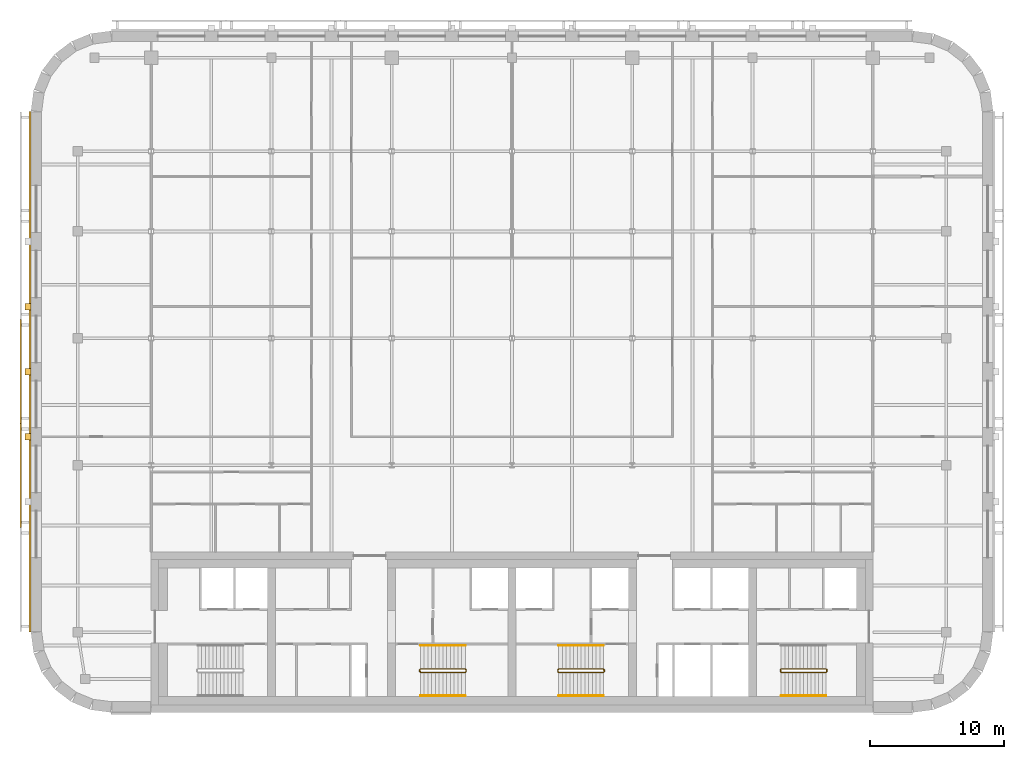
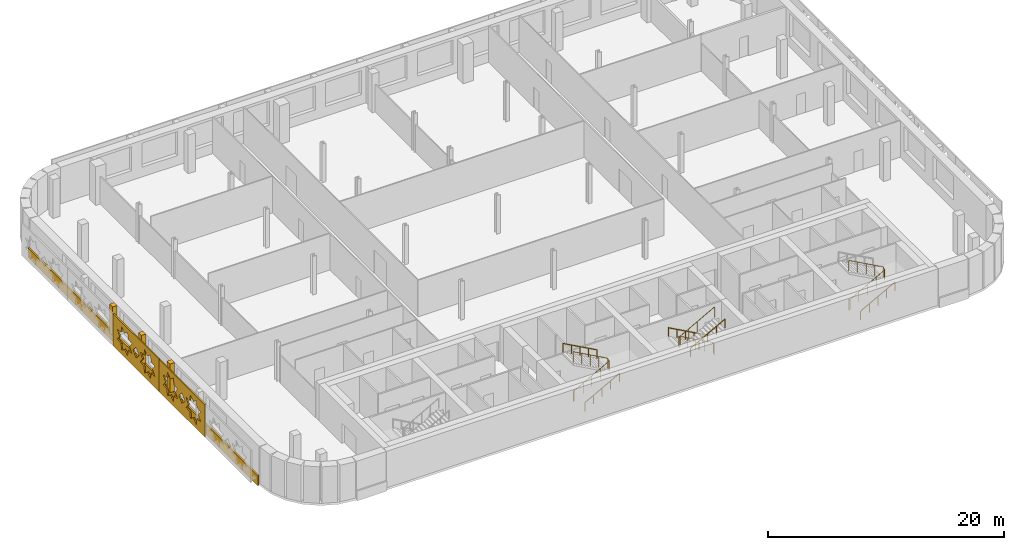
# One storey, part 14 of 16: 8 railings, 6 coverings.
"""IFC4 building model written with IfcOpenShell, lengths in metres."""

from ifc_helpers import new_model, si_unit, direction, frame, origin, origin_2d, place, context, subcontext, project, spatial, polyline, circle, outline, extrude, material, layer, layer_set, type_object, element, save


model = new_model("IFC4")

# Units and contexts
model_context = context("Model", 3, precision=1e-05, world=origin(), true_north=direction((0.0, 1.0)))
body_context = subcontext(model_context, "Body", "Model", "MODEL_VIEW")
ifc_project = project(units=[si_unit("LENGTHUNIT", "METRE"), si_unit("AREAUNIT", "SQUARE_METRE"), si_unit("VOLUMEUNIT", "CUBIC_METRE"), si_unit("PLANEANGLEUNIT", "RADIAN"), si_unit("MASSUNIT", "GRAM", prefix="KILO")], contexts=[model_context])

# Site, building, storey
site_placement = place(None, origin())
site = spatial("IfcSite", under=ifc_project, at=site_placement, CompositionType="ELEMENT")
building_placement = place(site_placement, origin())
building = spatial("IfcBuilding", under=site, at=building_placement, Name="Zellij Exchange Tower", CompositionType="ELEMENT")
storey_placement = place(building_placement, frame((0.0, 0.0, 280.5)))
storey = spatial("IfcBuildingStorey", under=building, at=storey_placement, Name="L66", CompositionType="ELEMENT", Elevation=280.5)

# Railings
ifc_material_1 = material(Name="Stainless steel", Category="steel")
railing_type_1 = type_object("IfcRailingType", Name="CORE-RG stair guard", PredefinedType="GUARDRAIL", material=ifc_material_1)
railing_1_placement = place(storey_placement, frame((-6.89990234375, -10.949951171875, 0.0)))
element("IfcRailing", 1, at=railing_1_placement, inside=storey, type_object=railing_type_1, Name="ST2 stair guard L66", PredefinedType="GUARDRAIL", context=body_context, shape_type="SweptSolid", body=[
    extrude(circle(Radius=0.02392578125, at=origin_2d()), frame((0.0, 0.0, 1.076171875), z_axis=(0.0, 1.0, 0.0), x_axis=(-1.0, 0.0, 0.0)), (0.0, 0.0, 1.0), 0.14990234375),
    extrude(circle(Radius=0.02392578125, at=origin_2d()), frame((0.0, 0.14990234375, 1.076171875), z_axis=(0.193691321961, -0.777613689637, 0.598164376644), x_axis=(0.970351222016, 0.241699205484, 0.0)), (0.0, 0.0, 1.0), 0.257080078125),
    extrude(circle(Radius=0.02392578125, at=origin_2d()), frame((0.0498046875, -0.050048828125, 1.22998046875), z_axis=(0.876421534553, 0.0, 0.481544695509), x_axis=(0.0, 1.0, 0.0)), (0.0, 0.0, 1.0), 3.833984375),
    extrude(circle(Radius=0.02392578125, at=origin_2d()), frame((3.409912109375, -0.050048828125, 3.076171875), z_axis=(0.707106781187, 0.707106781187, 0.0), x_axis=(-0.707106781187, 0.707106781187, 0.0)), (0.0, 0.0, 1.0), 0.07080078125),
    extrude(circle(Radius=0.02392578125, at=origin_2d()), frame((3.4599609375, 0.0, 3.076171875), z_axis=(0.0, 1.0, 0.0), x_axis=(-1.0, 0.0, 0.0)), (0.0, 0.0, 1.0), 0.14990234375),
    extrude(circle(Radius=0.02392578125, at=origin_2d()), frame((3.4599609375, 0.14990234375, 3.076171875), z_axis=(-0.295599637079, 0.295599637079, 0.908428152975), x_axis=(-0.707106781187, -0.707106781187, 0.0)), (0.0, 0.0, 1.0), 0.16943359375),
    extrude(circle(Radius=0.02392578125, at=origin_2d()), frame((3.409912109375, 0.199951171875, 3.22998046875), z_axis=(-0.876421534553, 0.0, 0.481544695509), x_axis=(0.0, -1.0, 0.0)), (0.0, 0.0, 1.0), 3.833984375),
    extrude(circle(Radius=0.02099609375, at=origin_2d()), origin(), (0.0, 0.0, 1.0), 1.052001953125),
    extrude(circle(Radius=0.02099609375, at=origin_2d()), frame((0.0, 0.14990234375, 0.0)), (0.0, 0.0, 1.0), 1.052001953125),
    extrude(circle(Radius=0.02099609375, at=origin_2d()), frame((0.0498046875, -0.050048828125, 0.15380859375)), (0.0, 0.0, 1.0), 1.052001953125),
    extrude(circle(Radius=0.02099609375, at=origin_2d()), frame((0.889892578125, -0.050048828125, 0.615234375)), (0.0, 0.0, 1.0), 1.052001953125),
    extrude(circle(Radius=0.02099609375, at=origin_2d()), frame((1.72998046875, -0.050048828125, 1.076904296875)), (0.0, 0.0, 1.0), 1.052001953125),
    extrude(circle(Radius=0.02099609375, at=origin_2d()), frame((2.56982421875, -0.050048828125, 1.53857421875)), (0.0, 0.0, 1.0), 1.052001953125),
    extrude(circle(Radius=0.02099609375, at=origin_2d()), frame((3.409912109375, -0.050048828125, 2.0)), (0.0, 0.0, 1.0), 1.052001953125),
    extrude(circle(Radius=0.02099609375, at=origin_2d()), frame((3.4599609375, 0.0, 2.0)), (0.0, 0.0, 1.0), 1.052001953125),
    extrude(circle(Radius=0.02099609375, at=origin_2d()), frame((3.4599609375, 0.14990234375, 2.0)), (0.0, 0.0, 1.0), 1.052001953125),
    extrude(circle(Radius=0.02099609375, at=origin_2d()), frame((3.409912109375, 0.199951171875, 2.15380859375)), (0.0, 0.0, 1.0), 1.052001953125),
    extrude(circle(Radius=0.02099609375, at=origin_2d()), frame((2.56982421875, 0.199951171875, 2.615234375)), (0.0, 0.0, 1.0), 1.052001953125),
    extrude(circle(Radius=0.02099609375, at=origin_2d()), frame((1.72998046875, 0.199951171875, 3.076904296875)), (0.0, 0.0, 1.0), 1.052001953125),
    extrude(circle(Radius=0.02099609375, at=origin_2d()), frame((0.889892578125, 0.199951171875, 3.53857421875)), (0.0, 0.0, 1.0), 1.052001953125),
    extrude(circle(Radius=0.02099609375, at=origin_2d()), frame((0.0498046875, 0.199951171875, 4.0)), (0.0, 0.0, 1.0), 1.052001953125),
])
railing_2_placement = place(storey_placement, frame((6.89990234375, -10.800048828125, 0.0)))
element("IfcRailing", 2, at=railing_2_placement, inside=storey, type_object=railing_type_1, Name="ST3 stair guard L66", PredefinedType="GUARDRAIL", context=body_context, shape_type="SweptSolid", body=[
    extrude(circle(Radius=0.02392578125, at=origin_2d()), frame((0.0, 0.0, 1.076171875), z_axis=(0.0, -1.0, 0.0), x_axis=(1.0, 0.0, 0.0)), (0.0, 0.0, 1.0), 0.14990234375),
    extrude(circle(Radius=0.02392578125, at=origin_2d()), frame((0.0, -0.14990234375, 1.076171875), z_axis=(-0.193691321961, 0.777613689637, 0.598164376644), x_axis=(-0.970351222016, -0.241699205484, 0.0)), (0.0, 0.0, 1.0), 0.257080078125),
    extrude(circle(Radius=0.02392578125, at=origin_2d()), frame((-0.0498046875, 0.050048828125, 1.22998046875), z_axis=(-0.876421534553, 0.0, 0.481544695509), x_axis=(0.0, -1.0, 0.0)), (0.0, 0.0, 1.0), 3.833984375),
    extrude(circle(Radius=0.02392578125, at=origin_2d()), frame((-3.409912109375, 0.050048828125, 3.076171875), z_axis=(-0.707106781187, -0.707106781187, 0.0), x_axis=(0.707106781187, -0.707106781187, 0.0)), (0.0, 0.0, 1.0), 0.07080078125),
    extrude(circle(Radius=0.02392578125, at=origin_2d()), frame((-3.4599609375, 0.0, 3.076171875), z_axis=(0.0, -1.0, 0.0), x_axis=(1.0, 0.0, 0.0)), (0.0, 0.0, 1.0), 0.14990234375),
    extrude(circle(Radius=0.02392578125, at=origin_2d()), frame((-3.4599609375, -0.14990234375, 3.076171875), z_axis=(0.295599637079, -0.295599637079, 0.908428152975), x_axis=(0.707106781187, 0.707106781187, 0.0)), (0.0, 0.0, 1.0), 0.16943359375),
    extrude(circle(Radius=0.02392578125, at=origin_2d()), frame((-3.409912109375, -0.199951171875, 3.22998046875), z_axis=(0.876421534553, 0.0, 0.481544695509), x_axis=(0.0, 1.0, 0.0)), (0.0, 0.0, 1.0), 3.833984375),
    extrude(circle(Radius=0.02099609375, at=origin_2d()), origin(), (0.0, 0.0, 1.0), 1.052001953125),
    extrude(circle(Radius=0.02099609375, at=origin_2d()), frame((0.0, -0.14990234375, 0.0)), (0.0, 0.0, 1.0), 1.052001953125),
    extrude(circle(Radius=0.02099609375, at=origin_2d()), frame((-0.0498046875, 0.050048828125, 0.15380859375)), (0.0, 0.0, 1.0), 1.052001953125),
    extrude(circle(Radius=0.02099609375, at=origin_2d()), frame((-0.889892578125, 0.050048828125, 0.615234375)), (0.0, 0.0, 1.0), 1.052001953125),
    extrude(circle(Radius=0.02099609375, at=origin_2d()), frame((-1.72998046875, 0.050048828125, 1.076904296875)), (0.0, 0.0, 1.0), 1.052001953125),
    extrude(circle(Radius=0.02099609375, at=origin_2d()), frame((-2.56982421875, 0.050048828125, 1.53857421875)), (0.0, 0.0, 1.0), 1.052001953125),
    extrude(circle(Radius=0.02099609375, at=origin_2d()), frame((-3.409912109375, 0.050048828125, 2.0)), (0.0, 0.0, 1.0), 1.052001953125),
    extrude(circle(Radius=0.02099609375, at=origin_2d()), frame((-3.4599609375, 0.0, 2.0)), (0.0, 0.0, 1.0), 1.052001953125),
    extrude(circle(Radius=0.02099609375, at=origin_2d()), frame((-3.4599609375, -0.14990234375, 2.0)), (0.0, 0.0, 1.0), 1.052001953125),
    extrude(circle(Radius=0.02099609375, at=origin_2d()), frame((-3.409912109375, -0.199951171875, 2.15380859375)), (0.0, 0.0, 1.0), 1.052001953125),
    extrude(circle(Radius=0.02099609375, at=origin_2d()), frame((-2.56982421875, -0.199951171875, 2.615234375)), (0.0, 0.0, 1.0), 1.052001953125),
    extrude(circle(Radius=0.02099609375, at=origin_2d()), frame((-1.72998046875, -0.199951171875, 3.076904296875)), (0.0, 0.0, 1.0), 1.052001953125),
    extrude(circle(Radius=0.02099609375, at=origin_2d()), frame((-0.889892578125, -0.199951171875, 3.53857421875)), (0.0, 0.0, 1.0), 1.052001953125),
    extrude(circle(Radius=0.02099609375, at=origin_2d()), frame((-0.0498046875, -0.199951171875, 4.0)), (0.0, 0.0, 1.0), 1.052001953125),
])
railing_3_placement = place(storey_placement, frame((20.10009765625, -10.949951171875, 0.0)))
element("IfcRailing", 3, at=railing_3_placement, inside=storey, type_object=railing_type_1, Name="ST4 stair guard L66", PredefinedType="GUARDRAIL", context=body_context, shape_type="SweptSolid", body=[
    extrude(circle(Radius=0.02392578125, at=origin_2d()), frame((0.0, 0.0, 1.076171875), z_axis=(0.0, 1.0, 0.0), x_axis=(-1.0, 0.0, 0.0)), (0.0, 0.0, 1.0), 0.14990234375),
    extrude(circle(Radius=0.02392578125, at=origin_2d()), frame((0.0, 0.14990234375, 1.076171875), z_axis=(0.193691321961, -0.777613689637, 0.598164376644), x_axis=(0.970351222016, 0.241699205484, 0.0)), (0.0, 0.0, 1.0), 0.257080078125),
    extrude(circle(Radius=0.02392578125, at=origin_2d()), frame((0.0498046875, -0.050048828125, 1.22998046875), z_axis=(0.876421534553, 0.0, 0.481544695509), x_axis=(0.0, 1.0, 0.0)), (0.0, 0.0, 1.0), 3.833984375),
    extrude(circle(Radius=0.02392578125, at=origin_2d()), frame((3.409912109375, -0.050048828125, 3.076171875), z_axis=(0.707106781187, 0.707106781187, 0.0), x_axis=(-0.707106781187, 0.707106781187, 0.0)), (0.0, 0.0, 1.0), 0.07080078125),
    extrude(circle(Radius=0.02392578125, at=origin_2d()), frame((3.4599609375, 0.0, 3.076171875), z_axis=(0.0, 1.0, 0.0), x_axis=(-1.0, 0.0, 0.0)), (0.0, 0.0, 1.0), 0.14990234375),
    extrude(circle(Radius=0.02392578125, at=origin_2d()), frame((3.4599609375, 0.14990234375, 3.076171875), z_axis=(-0.295599637079, 0.295599637079, 0.908428152975), x_axis=(-0.707106781187, -0.707106781187, 0.0)), (0.0, 0.0, 1.0), 0.16943359375),
    extrude(circle(Radius=0.02392578125, at=origin_2d()), frame((3.409912109375, 0.199951171875, 3.22998046875), z_axis=(-0.876421534553, 0.0, 0.481544695509), x_axis=(0.0, -1.0, 0.0)), (0.0, 0.0, 1.0), 3.833984375),
    extrude(circle(Radius=0.02099609375, at=origin_2d()), origin(), (0.0, 0.0, 1.0), 1.052001953125),
    extrude(circle(Radius=0.02099609375, at=origin_2d()), frame((0.0, 0.14990234375, 0.0)), (0.0, 0.0, 1.0), 1.052001953125),
    extrude(circle(Radius=0.02099609375, at=origin_2d()), frame((0.0498046875, -0.050048828125, 0.15380859375)), (0.0, 0.0, 1.0), 1.052001953125),
    extrude(circle(Radius=0.02099609375, at=origin_2d()), frame((0.889892578125, -0.050048828125, 0.615234375)), (0.0, 0.0, 1.0), 1.052001953125),
    extrude(circle(Radius=0.02099609375, at=origin_2d()), frame((1.72998046875, -0.050048828125, 1.076904296875)), (0.0, 0.0, 1.0), 1.052001953125),
    extrude(circle(Radius=0.02099609375, at=origin_2d()), frame((2.56982421875, -0.050048828125, 1.53857421875)), (0.0, 0.0, 1.0), 1.052001953125),
    extrude(circle(Radius=0.02099609375, at=origin_2d()), frame((3.409912109375, -0.050048828125, 2.0)), (0.0, 0.0, 1.0), 1.052001953125),
    extrude(circle(Radius=0.02099609375, at=origin_2d()), frame((3.4599609375, 0.0, 2.0)), (0.0, 0.0, 1.0), 1.052001953125),
    extrude(circle(Radius=0.02099609375, at=origin_2d()), frame((3.4599609375, 0.14990234375, 2.0)), (0.0, 0.0, 1.0), 1.052001953125),
    extrude(circle(Radius=0.02099609375, at=origin_2d()), frame((3.409912109375, 0.199951171875, 2.15380859375)), (0.0, 0.0, 1.0), 1.052001953125),
    extrude(circle(Radius=0.02099609375, at=origin_2d()), frame((2.56982421875, 0.199951171875, 2.615234375)), (0.0, 0.0, 1.0), 1.052001953125),
    extrude(circle(Radius=0.02099609375, at=origin_2d()), frame((1.72998046875, 0.199951171875, 3.076904296875)), (0.0, 0.0, 1.0), 1.052001953125),
    extrude(circle(Radius=0.02099609375, at=origin_2d()), frame((0.889892578125, 0.199951171875, 3.53857421875)), (0.0, 0.0, 1.0), 1.052001953125),
    extrude(circle(Radius=0.02099609375, at=origin_2d()), frame((0.0498046875, 0.199951171875, 4.0)), (0.0, 0.0, 1.0), 1.052001953125),
])
railing_type_2 = type_object("IfcRailingType", Name="CORE-RH stair handrail", PredefinedType="HANDRAIL", material=ifc_material_1)
railing_4_placement = place(storey_placement, frame((-6.85009765625, -12.75, 0.15380859375)))
element("IfcRailing", 4, at=railing_4_placement, inside=storey, type_object=railing_type_2, Name="ST2 stair handrail L66", PredefinedType="HANDRAIL", context=body_context, shape_type="SweptSolid", body=[
    extrude(circle(Radius=0.02392578125, at=origin_2d()), frame((0.0, 0.0, 0.8759765625), z_axis=(0.876421534553, 0.0, 0.481544695509), x_axis=(0.0, 1.0, 0.0)), (0.0, 0.0, 1.0), 3.833984375),
    extrude(circle(Radius=0.02099609375, at=origin_2d()), origin(), (0.0, 0.0, 1.0), 0.851806640625),
    extrude(circle(Radius=0.02099609375, at=origin_2d()), frame((0.840087890625, 0.0, 0.46142578125)), (0.0, 0.0, 1.0), 0.851806640625),
    extrude(circle(Radius=0.02099609375, at=origin_2d()), frame((1.68017578125, 0.0, 0.923095703125)), (0.0, 0.0, 1.0), 0.851806640625),
    extrude(circle(Radius=0.02099609375, at=origin_2d()), frame((2.52001953125, 0.0, 1.384765625)), (0.0, 0.0, 1.0), 0.851806640625),
    extrude(circle(Radius=0.02099609375, at=origin_2d()), frame((3.360107421875, 0.0, 1.84619140625)), (0.0, 0.0, 1.0), 0.851806640625),
])
for number, where, name in (
    (5, (-3.489990234375, -9.0, 2.15380859375), "ST2 stair handrail L66"),
    (6, (6.85009765625, -9.0, 0.15380859375), "ST3 stair handrail L66"),
):
    element("IfcRailing", number, at=place(storey_placement, frame(where)), inside=storey, type_object=railing_type_2, Name=name, PredefinedType="HANDRAIL", context=body_context, shape_type="SweptSolid", body=[
        extrude(circle(Radius=0.02392578125, at=origin_2d()), frame((0.0, 0.0, 0.8759765625), z_axis=(-0.876421534553, 0.0, 0.481544695509), x_axis=(0.0, -1.0, 0.0)), (0.0, 0.0, 1.0), 3.833984375),
        extrude(circle(Radius=0.02099609375, at=origin_2d()), origin(), (0.0, 0.0, 1.0), 0.851806640625),
        extrude(circle(Radius=0.02099609375, at=origin_2d()), frame((-0.840087890625, 0.0, 0.46142578125)), (0.0, 0.0, 1.0), 0.851806640625),
        extrude(circle(Radius=0.02099609375, at=origin_2d()), frame((-1.68017578125, 0.0, 0.923095703125)), (0.0, 0.0, 1.0), 0.851806640625),
        extrude(circle(Radius=0.02099609375, at=origin_2d()), frame((-2.52001953125, 0.0, 1.384765625)), (0.0, 0.0, 1.0), 0.851806640625),
        extrude(circle(Radius=0.02099609375, at=origin_2d()), frame((-3.360107421875, 0.0, 1.84619140625)), (0.0, 0.0, 1.0), 0.851806640625),
    ])
for number, where, name in (
    (7, (3.489990234375, -12.75, 2.15380859375), "ST3 stair handrail L66"),
    (8, (20.14990234375, -12.75, 0.15380859375), "ST4 stair handrail L66"),
):
    element("IfcRailing", number, at=place(storey_placement, frame(where)), inside=storey, type_object=railing_type_2, Name=name, PredefinedType="HANDRAIL", context=body_context, shape_type="SweptSolid", body=[
        extrude(circle(Radius=0.02392578125, at=origin_2d()), frame((0.0, 0.0, 0.8759765625), z_axis=(0.876421534553, 0.0, 0.481544695509), x_axis=(0.0, 1.0, 0.0)), (0.0, 0.0, 1.0), 3.833984375),
        extrude(circle(Radius=0.02099609375, at=origin_2d()), origin(), (0.0, 0.0, 1.0), 0.851806640625),
        extrude(circle(Radius=0.02099609375, at=origin_2d()), frame((0.840087890625, 0.0, 0.46142578125)), (0.0, 0.0, 1.0), 0.851806640625),
        extrude(circle(Radius=0.02099609375, at=origin_2d()), frame((1.68017578125, 0.0, 0.923095703125)), (0.0, 0.0, 1.0), 0.851806640625),
        extrude(circle(Radius=0.02099609375, at=origin_2d()), frame((2.52001953125, 0.0, 1.384765625)), (0.0, 0.0, 1.0), 0.851806640625),
        extrude(circle(Radius=0.02099609375, at=origin_2d()), frame((3.360107421875, 0.0, 1.84619140625)), (0.0, 0.0, 1.0), 0.851806640625),
    ])

# Coverings
ifc_material_2 = material(Name="Limestone cladding", Category="masonry")
ifc_layer_1 = layer(ifc_material_2, 0.14990234375)
ifc_layer_set_1 = layer_set([ifc_layer_1], Name="Limestone cladding")
covering_type_1 = type_object("IfcCoveringType", Name="ENV-CV1 Stone spandrel band 150", PredefinedType="CLADDING", material=ifc_layer_set_1)
covering_1_placement = place(storey_placement, frame((0.0, 0.0, -0.219970703125)))
element("IfcCovering", 9, at=covering_1_placement, inside=storey, type_object=covering_type_1, Name="Stone spandrel band", PredefinedType="CLADDING", context=body_context, shape_type="SweptSolid", body=[
    extrude(outline(polyline([(-36.0, 30.973876953125), (-36.0, -7.973876953125), (-36.14990234375, -7.983642578125), (-36.14990234375, 30.983642578125), (-36.0, 30.973876953125)])), origin(), (0.0, 0.0, 1.0), 1.02001953125),
])
covering_type_2 = type_object("IfcCoveringType", Name="ENV-CV4 Stone pier 500x450", PredefinedType="CLADDING", material=ifc_material_2)
covering_2_placement = place(storey_placement, frame((0.0, 0.0, 0.800048828125)))
element("IfcCovering", 10, at=covering_2_placement, inside=storey, type_object=covering_type_2, Name="Stone pier", PredefinedType="CLADDING", context=body_context, shape_type="SweptSolid", body=[
    extrude(outline(polyline([(-36.0, 16.618408203125), (-36.0, 16.118408203125), (-36.449951171875, 16.118408203125), (-36.449951171875, 16.618408203125), (-36.0, 16.618408203125)])), origin(), (0.0, 0.0, 1.0), 2.97998046875),
])
covering_3_placement = place(storey_placement, frame((0.0, 0.0, 0.800048828125)))
element("IfcCovering", 11, at=covering_3_placement, inside=storey, type_object=covering_type_2, Name="Stone pier", PredefinedType="CLADDING", context=body_context, shape_type="SweptSolid", body=[
    extrude(outline(polyline([(-36.0, 11.75), (-36.0, 11.25), (-36.449951171875, 11.25), (-36.449951171875, 11.75), (-36.0, 11.75)])), origin(), (0.0, 0.0, 1.0), 2.97998046875),
])
covering_4_placement = place(storey_placement, frame((0.0, 0.0, 0.800048828125)))
element("IfcCovering", 12, at=covering_4_placement, inside=storey, type_object=covering_type_2, Name="Stone pier", PredefinedType="CLADDING", context=body_context, shape_type="SweptSolid", body=[
    extrude(outline(polyline([(-36.0, 6.881591796875), (-36.0, 6.381591796875), (-36.449951171875, 6.381591796875), (-36.449951171875, 6.881591796875), (-36.0, 6.881591796875)])), origin(), (0.0, 0.0, 1.0), 2.97998046875),
])
ifc_material_3 = material(Name="Limestone screen", Category="masonry")
ifc_layer_2 = layer(ifc_material_3, 0.1201171875)
ifc_layer_set_2 = layer_set([ifc_layer_2], Name="Limestone screen")
covering_type_3 = type_object("IfcCoveringType", Name="ENV-SC1 Pierced stone screen 120", PredefinedType="USERDEFINED", material=ifc_layer_set_2)
for number, where, z_axis, x_axis, name in (
    (13, (-36.760009765625, 15.389404296875, 0.300048828125), (0.0, 0.0, 1.0), (0.0, -1.0, 0.0), "Pierced stone screen"),
    (14, (-36.760009765625, 7.610595703125, 0.300048828125), (0.0, 0.0, 1.0), (0.0, -1.0, 0.0), "Pierced stone screen"),
):
    element("IfcCovering", number, at=place(storey_placement, frame(where, z_axis=z_axis, x_axis=x_axis)), inside=storey, type_object=covering_type_3, Name=name, ObjectType="SCREEN", PredefinedType="USERDEFINED", context=body_context, shape_type="SweptSolid", body=[
        extrude(outline(polyline([(0.0, 0.0), (7.779052734375, 0.0), (7.779052734375, 3.35009765625), (0.0, 3.35009765625), (0.0, 0.0)]), holes=[polyline([(3.182861328125, 2.187744140625), (2.5322265625, 2.262451171875), (2.45751953125, 2.9130859375), (1.94482421875, 2.505859375), (1.431884765625, 2.9130859375), (1.357421875, 2.262451171875), (0.706787109375, 2.187744140625), (1.114013671875, 1.675048828125), (0.706787109375, 1.162109375), (1.357421875, 1.08740234375), (1.431884765625, 0.43701171875), (1.94482421875, 0.84423828125), (2.45751953125, 0.43701171875), (2.5322265625, 1.08740234375), (3.182861328125, 1.162109375), (2.775634765625, 1.675048828125), (3.182861328125, 2.187744140625)]), polyline([(7.072265625, 2.187744140625), (6.421630859375, 2.262451171875), (6.34716796875, 2.9130859375), (5.834228515625, 2.505859375), (5.321533203125, 2.9130859375), (5.246826171875, 2.262451171875), (4.59619140625, 2.187744140625), (5.00341796875, 1.675048828125), (4.59619140625, 1.162109375), (5.246826171875, 1.08740234375), (5.321533203125, 0.43701171875), (5.834228515625, 0.84423828125), (6.34716796875, 0.43701171875), (6.421630859375, 1.08740234375), (7.072265625, 1.162109375), (6.6650390625, 1.675048828125), (7.072265625, 2.187744140625)]), polyline([(4.425537109375, 1.675048828125), (3.889404296875, 2.2109375), (3.353515625, 1.675048828125), (3.889404296875, 1.138916015625), (4.425537109375, 1.675048828125)])]), frame((0.0, 0.06005859375, 0.0), z_axis=(0.0, -1.0, 0.0), x_axis=(1.0, 0.0, 0.0)), (0.0, 0.0, 1.0), 0.1201171875),
    ])

save(model, "model.ifc")
